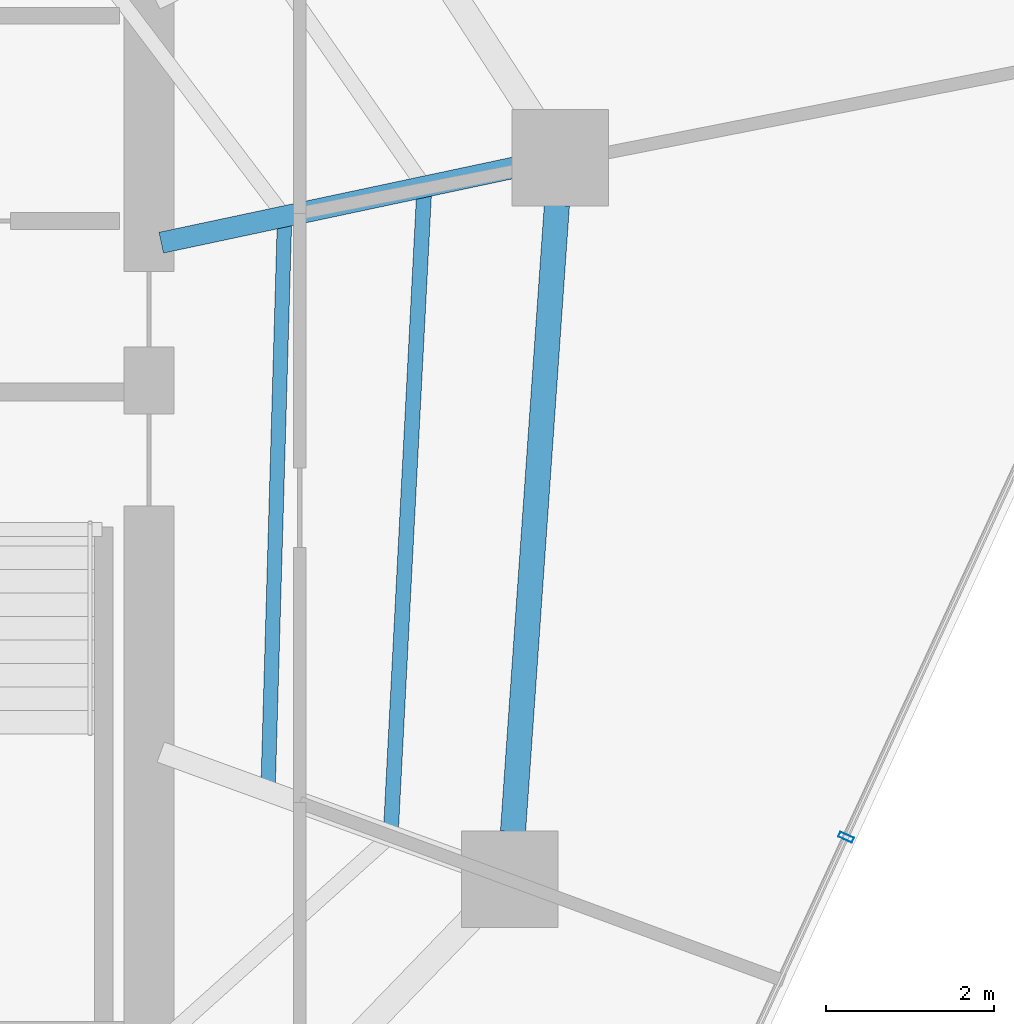
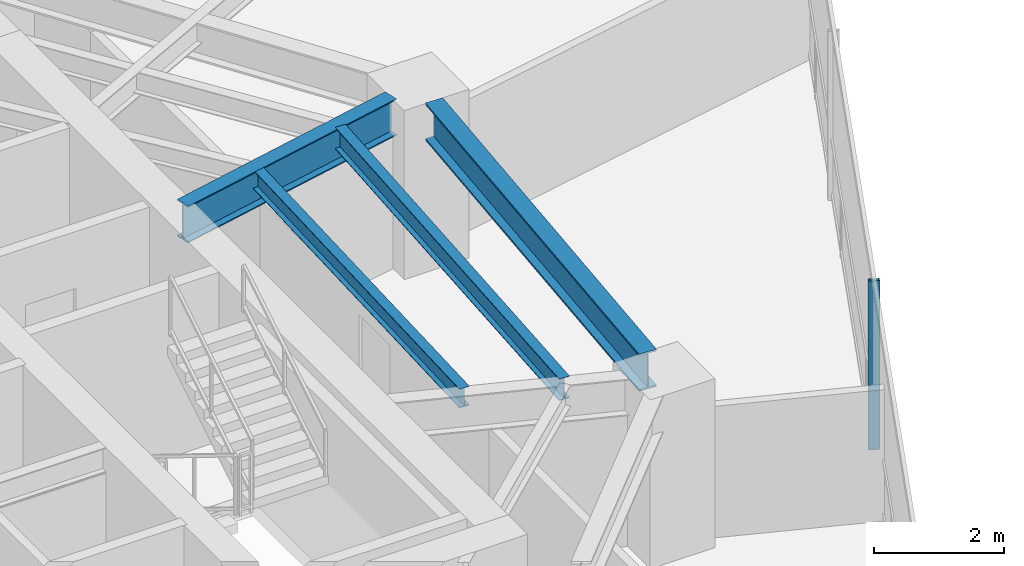
# One storey, part 12 of 30: 4 beams, 1 member, 1 element without a shape of its own.
"""IFC4 building model written with IfcOpenShell, lengths in metres."""

import ifcopenshell
import ifcopenshell.guid

model = None  # the IFC model being written
_history = None  # IfcOwnerHistory: only IFC2X3 demands one
_inside = {}  # id of a spatial element -> (the spatial element, [elements in it])
_under = {}  # id of a project, library or spatial element -> (it, [spatial elements below it])
_declared = {}  # id of a project -> (the project, [libraries it declares])
_typed = {}  # id of a type object -> (the type object, [elements of that type])
_made_of = {}  # id of a material, layer set ... -> (it, [elements and type objects made of it])


def new_model(schema):
    """Start an empty IFC model of exactly this schema.

    Asked for "IFC4X3", IfcOpenShell would pick the latest addendum, in which some entities
    have other attributes; the version numbers below select the first issue.
    IFC2X3 requires an IfcOwnerHistory on every rooted entity: one is made here for all.
    """
    global model, _history
    if schema == "IFC4X3":
        model = ifcopenshell.file(schema_version=(4, 3, 0, 0))
    else:
        model = ifcopenshell.file(schema=schema)
    _inside.clear()
    _under.clear()
    _declared.clear()
    _typed.clear()
    _made_of.clear()
    _history = None
    if model.schema == "IFC2X3":
        org = make("IfcOrganization", Name="unknown")
        user = make(
            "IfcPersonAndOrganization",
            ThePerson=make("IfcPerson", FamilyName="unknown"),
            TheOrganization=org,
        )
        app = make(
            "IfcApplication",
            ApplicationDeveloper=org,
            Version="unknown",
            ApplicationFullName="unknown",
            ApplicationIdentifier="unknown",
        )
        _history = make(
            "IfcOwnerHistory",
            OwningUser=user,
            OwningApplication=app,
            ChangeAction="ADDED",
            CreationDate=0,
        )
    return model


def make(cls, **values):
    """One entity of the class cls with the attributes given. An attribute that is None is left unset."""
    return model.create_entity(
        cls, **{name: value for name, value in values.items() if value is not None}
    )


def rooted(cls, **values):
    """An entity with a GlobalId (a new one), such as an element, a storey or a relation."""
    return make(cls, GlobalId=ifcopenshell.guid.new(), OwnerHistory=_history, **values)


def si_unit(unit_type, name, prefix=None):
    """IfcSIUnit, for example si_unit("LENGTHUNIT", "METRE", prefix="MILLI")."""
    return make("IfcSIUnit", UnitType=unit_type, Prefix=prefix, Name=name)


def assignment(units):
    """IfcUnitAssignment: the units of a project."""
    return None if units is None else make("IfcUnitAssignment", Units=units)


def point(xyz):
    """IfcCartesianPoint."""
    return None if xyz is None else make("IfcCartesianPoint", Coordinates=xyz)


def direction(xyz):
    """IfcDirection."""
    return None if xyz is None else make("IfcDirection", DirectionRatios=xyz)


def frame(location, z_axis=None, x_axis=None):
    """IfcAxis2Placement3D, a coordinate frame: its origin and axes. An axis left out is left unset."""
    return make(
        "IfcAxis2Placement3D",
        Location=point(location),
        Axis=direction(z_axis),
        RefDirection=direction(x_axis),
    )


def frame_2d(location, x_axis=None):
    """IfcAxis2Placement2D, a coordinate frame in the plane: its origin and x axis."""
    return make(
        "IfcAxis2Placement2D", Location=point(location), RefDirection=direction(x_axis)
    )


def origin():
    """The frame at (0, 0, 0) with its axes left unset."""
    return frame((0.0, 0.0, 0.0))


def origin_2d():
    """The frame at (0, 0) in the plane with its x axis left unset."""
    return frame_2d((0.0, 0.0))


def place(relative_to, where):
    """IfcLocalPlacement: puts the frame where relative to a parent placement (None: the world)."""
    return make(
        "IfcLocalPlacement", PlacementRelTo=relative_to, RelativePlacement=where
    )


def context(
    kind, dimensions, precision=None, world=None, true_north=None, identifier=None
):
    """IfcGeometricRepresentationContext, for example the 3D "Model" context."""
    return make(
        "IfcGeometricRepresentationContext",
        ContextIdentifier=identifier,
        ContextType=kind,
        CoordinateSpaceDimension=dimensions,
        Precision=precision,
        WorldCoordinateSystem=world,
        TrueNorth=true_north,
    )


def subcontext(parent, identifier, kind, view, scale=None):
    """IfcGeometricRepresentationSubContext, for example "Body" below "Model"."""
    return make(
        "IfcGeometricRepresentationSubContext",
        ContextIdentifier=identifier,
        ContextType=kind,
        ParentContext=parent,
        TargetScale=scale,
        TargetView=view,
    )


def project(units=None, contexts=None):
    """IfcProject with its units and contexts."""
    return rooted(
        "IfcProject",
        Name="project",
        RepresentationContexts=contexts,
        UnitsInContext=assignment(units),
    )


def spatial(cls, under=None, at=None, **own):
    """A site, building, storey or space (cls), placed at a placement, below another one or the project."""
    s = rooted(cls, ObjectPlacement=at, **own)
    if under is not None:
        _under.setdefault(under.id(), (under, []))[1].append(s)
    return s


def profile(cls, at=None, kind="AREA", **sizes):
    """A parametric profile (cls). Its sizes go by their IFC names, for example OverallWidth=200.0."""
    return make(cls, ProfileType=kind, Position=at, **sizes)


def hollow_rectangle(**sizes):
    """IfcRectangleHollowProfileDef."""
    return profile("IfcRectangleHollowProfileDef", **sizes)


def i_section(**sizes):
    """IfcIShapeProfileDef."""
    return profile("IfcIShapeProfileDef", **sizes)


def extrude(swept, where, along, depth):
    """IfcExtrudedAreaSolid: the profile swept, set in the frame where, extruded along a direction by depth."""
    return make(
        "IfcExtrudedAreaSolid",
        SweptArea=swept,
        Position=where,
        ExtrudedDirection=direction(along),
        Depth=depth,
    )


def shape(context_of_items, identifier, shape_type, items):
    """IfcShapeRepresentation: the items that make up one representation, for example the "Body"."""
    return make(
        "IfcShapeRepresentation",
        ContextOfItems=context_of_items,
        RepresentationIdentifier=identifier,
        RepresentationType=shape_type,
        Items=items,
    )


def material(Name=None, Category=None):
    """IfcMaterial."""
    return make("IfcMaterial", Name=Name, Category=Category)


def layer(
    of_material, thickness, ventilated=None, Name=None, Category=None, Priority=None
):
    """IfcMaterialLayer: one layer of a wall or slab, of a material (None: an air gap)."""
    return make(
        "IfcMaterialLayer",
        Material=of_material,
        LayerThickness=thickness,
        IsVentilated=ventilated,
        Name=Name,
        Category=Category,
        Priority=Priority,
    )


def layer_set(layers, Name=None):
    """IfcMaterialLayerSet."""
    return make("IfcMaterialLayerSet", MaterialLayers=layers, LayerSetName=Name)


def material_profile(
    of_material, cross_section, Name=None, Category=None, Priority=None
):
    """IfcMaterialProfile: a cross section and its material."""
    return make(
        "IfcMaterialProfile",
        Name=Name,
        Material=of_material,
        Profile=cross_section,
        Priority=Priority,
        Category=Category,
    )


def profile_set(profiles, Name=None, composite=None):
    """IfcMaterialProfileSet."""
    return make(
        "IfcMaterialProfileSet",
        Name=Name,
        MaterialProfiles=profiles,
        CompositeProfile=composite,
    )


def made_of(thing, what):
    """Note that an element or type object is made of a material, layer set ...; save() writes the relation."""
    if what is not None:
        _made_of.setdefault(what.id(), (what, []))[1].append(thing)
    return thing


def type_object(cls, material=None, **own):
    """A type object (cls), such as IfcWallType, which elements share."""
    return made_of(rooted(cls, **own), material)


def element(
    cls,
    number,
    at=None,
    inside=None,
    cuts=None,
    type_object=None,
    material=None,
    context=None,
    identifier="Body",
    shape_type=None,
    held_by="IfcProductDefinitionShape",
    body=None,
    shapes=None,
    **own,
):
    """One element of the class cls, such as IfcWall. Its Tag is "e" and its number.

    at: its placement. inside: the storey or other place that contains it. cuts: it is an
    opening in that element (IfcRelVoidsElement). A single representation is given by context,
    identifier, shape_type and body (its items); several are given by shapes. held_by: the class
    of the entity that holds the representations. save() writes the other relations.
    """
    e = rooted(cls, Tag="e%d" % number, ObjectPlacement=at, **own)
    if body is not None:
        shapes = [shape(context, identifier, shape_type, body)]
    if shapes is not None:
        e.Representation = make(held_by, Representations=shapes)
    if inside is not None:
        _inside.setdefault(inside.id(), (inside, []))[1].append(e)
    if cuts is not None:
        rooted(
            "IfcRelVoidsElement", RelatingBuildingElement=cuts, RelatedOpeningElement=e
        )
    if type_object is not None:
        _typed.setdefault(type_object.id(), (type_object, []))[1].append(e)
    return made_of(e, material)


def aggregate(whole, parts):
    """IfcRelAggregates: a whole, such as a stair, and the parts it consists of."""
    return rooted("IfcRelAggregates", RelatingObject=whole, RelatedObjects=parts)


def save(model, path):
    """Write the relations noted so far, then the file.

    IfcRelAggregates (storeys below a building ...), IfcRelContainedInSpatialStructure (elements
    in a storey), IfcRelDefinesByType, IfcRelAssociatesMaterial and IfcRelDeclares: one each for
    every whole, place, type object, material and project.
    """
    for whole, parts in _under.values():
        aggregate(whole, parts)
    for where, things in _inside.values():
        rooted(
            "IfcRelContainedInSpatialStructure",
            RelatedElements=things,
            RelatingStructure=where,
        )
    for kind, things in _typed.values():
        rooted("IfcRelDefinesByType", RelatedObjects=things, RelatingType=kind)
    for what, things in _made_of.values():
        rooted("IfcRelAssociatesMaterial", RelatedObjects=things, RelatingMaterial=what)
    for by, libraries in _declared.values():
        rooted("IfcRelDeclares", RelatingContext=by, RelatedDefinitions=libraries)
    model.write(path)


model = new_model("IFC4")

# Units and contexts
model_context = context("Model", 3, precision=1e-05, world=origin(), true_north=direction((0.0, 1.0)))
body_context = subcontext(model_context, "Body", "Model", "MODEL_VIEW")
ifc_project = project(units=[si_unit("LENGTHUNIT", "METRE"), si_unit("AREAUNIT", "SQUARE_METRE"), si_unit("VOLUMEUNIT", "CUBIC_METRE"), si_unit("PLANEANGLEUNIT", "RADIAN"), si_unit("MASSUNIT", "GRAM", prefix="KILO")], contexts=[model_context])

# Site, building, storey
site_placement = place(None, origin())
site = spatial("IfcSite", under=ifc_project, at=site_placement, CompositionType="ELEMENT")
building_placement = place(site_placement, origin())
building = spatial("IfcBuilding", under=site, at=building_placement, Name="Qarnah Convention Tower", CompositionType="ELEMENT")
storey_placement = place(building_placement, frame((0.0, 0.0, 86.699951171875)))
storey = spatial("IfcBuildingStorey", under=building, at=storey_placement, Name="L22", CompositionType="ELEMENT", Elevation=86.699951171875)

# Beams
ifc_material_1 = material(Name="Structural steel S355JR", Category="steel")
ifc_material_profile_1 = material_profile(ifc_material_1, i_section(OverallWidth=0.172119140625, OverallDepth=0.35595703125, WebThickness=0.007080078125, FlangeThickness=0.011962890625, at=origin_2d()), Name="W360X51")
ifc_profile_set_1 = profile_set([ifc_material_profile_1], Name="Structural steel S355JR")
beam_type_1 = type_object("IfcBeamType", Name="BM-JST-W360", PredefinedType="JOIST", material=ifc_profile_set_1)
beam_1_placement = place(storey_placement, frame((49.02392578125, 22.18701171875, 2.991943359375), z_axis=(0.028906133337, 0.99958213042, 0.0), x_axis=(-0.99958213042, 0.028906133337, 0.0)))
element("IfcBeam", 1, at=beam_1_placement, inside=storey, type_object=beam_type_1, Name="L22 joist BM-L22-IJST-09", PredefinedType="JOIST", context=body_context, shape_type="SweptSolid", body=[
    extrude(i_section(OverallWidth=0.172119140625, OverallDepth=0.35595703125, WebThickness=0.007080078125, FlangeThickness=0.011962890625, at=origin_2d()), origin(), (0.0, 0.0, 1.0), 6.6806640625),
])
ifc_material_profile_2 = material_profile(ifc_material_1, i_section(OverallWidth=0.177978515625, OverallDepth=0.407958984375, WebThickness=0.008056640625, FlangeThickness=0.012939453125, at=origin_2d()), Name="W410X60")
ifc_profile_set_2 = profile_set([ifc_material_profile_2], Name="Structural steel S355JR")
beam_type_2 = type_object("IfcBeamType", Name="BM-JST-W410", PredefinedType="JOIST", material=ifc_profile_set_2)
beam_2_placement = place(storey_placement, frame((50.489990234375, 21.654052734375, 2.966064453125), z_axis=(0.051882273789, 0.998653207909, 0.0), x_axis=(-0.998653207909, 0.051882273789, 0.0)))
element("IfcBeam", 2, at=beam_2_placement, inside=storey, type_object=beam_type_2, Name="L22 joist BM-L22-SJST-09", PredefinedType="JOIST", context=body_context, shape_type="SweptSolid", body=[
    extrude(i_section(OverallWidth=0.177978515625, OverallDepth=0.407958984375, WebThickness=0.008056640625, FlangeThickness=0.012939453125, at=origin_2d()), origin(), (0.0, 0.0, 1.0), 7.576171875),
])
ifc_material_profile_3 = material_profile(ifc_material_1, i_section(OverallWidth=0.25390625, OverallDepth=0.68798828125, WebThickness=0.012939453125, FlangeThickness=0.02099609375, at=origin_2d()), Name="W690X152")
ifc_profile_set_3 = profile_set([ifc_material_profile_3], Name="Structural steel S355JR")
beam_type_3 = type_object("IfcBeamType", Name="BM-RAD-W690", PredefinedType="BEAM", material=ifc_profile_set_3)
beam_3_placement = place(storey_placement, frame((47.7470703125, 28.64208984375, 2.825927734375), z_axis=(0.978128480765, 0.20800162287, 0.0), x_axis=(-0.20800162287, 0.978128480765, 0.0)))
element("IfcBeam", 3, at=beam_3_placement, inside=storey, type_object=beam_type_3, Name="L22 beam BM-L22-RAD-01", PredefinedType="BEAM", context=body_context, shape_type="SweptSolid", body=[
    extrude(i_section(OverallWidth=0.25390625, OverallDepth=0.68798828125, WebThickness=0.012939453125, FlangeThickness=0.02099609375, at=origin_2d()), origin(), (0.0, 0.0, 1.0), 4.312255859375),
])
ifc_material_profile_4 = material_profile(ifc_material_1, i_section(OverallWidth=0.300048828125, OverallDepth=0.699951171875, WebThickness=0.01708984375, FlangeThickness=0.031982421875, at=origin_2d()), Name="HEB700")
ifc_profile_set_4 = profile_set([ifc_material_profile_4], Name="Structural steel S355JR")
beam_type_4 = type_object("IfcBeamType", Name="BM-RING-HEB700", PredefinedType="BEAM", material=ifc_profile_set_4)
beam_4_placement = place(storey_placement, frame((51.945068359375, 21.611083984375, 2.820068359375), z_axis=(0.069881623509, 0.997555291047, 0.0), x_axis=(-0.997555291047, 0.069881623509, 0.0)))
element("IfcBeam", 4, at=beam_4_placement, inside=storey, type_object=beam_type_4, Name="L22 beam BM-L22-SPN-09", PredefinedType="BEAM", context=body_context, shape_type="SweptSolid", body=[
    extrude(i_section(OverallWidth=0.300048828125, OverallDepth=0.699951171875, WebThickness=0.01708984375, FlangeThickness=0.031982421875, at=origin_2d()), origin(), (0.0, 0.0, 1.0), 7.497314453125),
])

# Curtain wall, member
ifc_material_2 = material(Name="Tempered Low-E dark glass", Category="glass")
ifc_layer = layer(ifc_material_2, 0.169921875)
ifc_layer_set = layer_set([ifc_layer], Name="Tempered Low-E dark glass")
curtain_wall_type = type_object("IfcCurtainWallType", Name="CWS-02", PredefinedType="NOTDEFINED", material=ifc_layer_set)
curtain_wall_placement = place(storey_placement, origin())
curtain_wall = element("IfcCurtainWall", 5, at=curtain_wall_placement, inside=storey, type_object=curtain_wall_type, Name="L22 unitised curtain wall CW-L22-F3", PredefinedType="NOTDEFINED")
ifc_material_3 = material(Name="Black anodised aluminium", Category="aluminium")
ifc_material_profile_5 = material_profile(ifc_material_3, hollow_rectangle(XDim=0.06494140625, YDim=0.179931640625, WallThickness=0.00390625, at=origin_2d()), Name="MUL-65X180")
ifc_profile_set_5 = profile_set([ifc_material_profile_5], Name="Black anodised aluminium")
member_type = type_object("IfcMemberType", Name="MUL-T2", PredefinedType="MULLION", material=ifc_profile_set_5)
member_placement = place(storey_placement, frame((55.920166015625, 21.546875, 0.0), z_axis=(0.0, 0.0, 1.0), x_axis=(-0.418223177755, -0.908344303438, 0.0)))
member = element("IfcMember", 6, at=member_placement, type_object=member_type, Name="CW-L22-F3 mullion 3", PredefinedType="MULLION", context=body_context, shape_type="SweptSolid", body=[
    extrude(hollow_rectangle(XDim=0.06494140625, YDim=0.179931640625, WallThickness=0.00390625, at=origin_2d()), origin(), (0.0, 0.0, 1.0), 3.170166015625),
])
aggregate(curtain_wall, [member])

save(model, "model.ifc")
